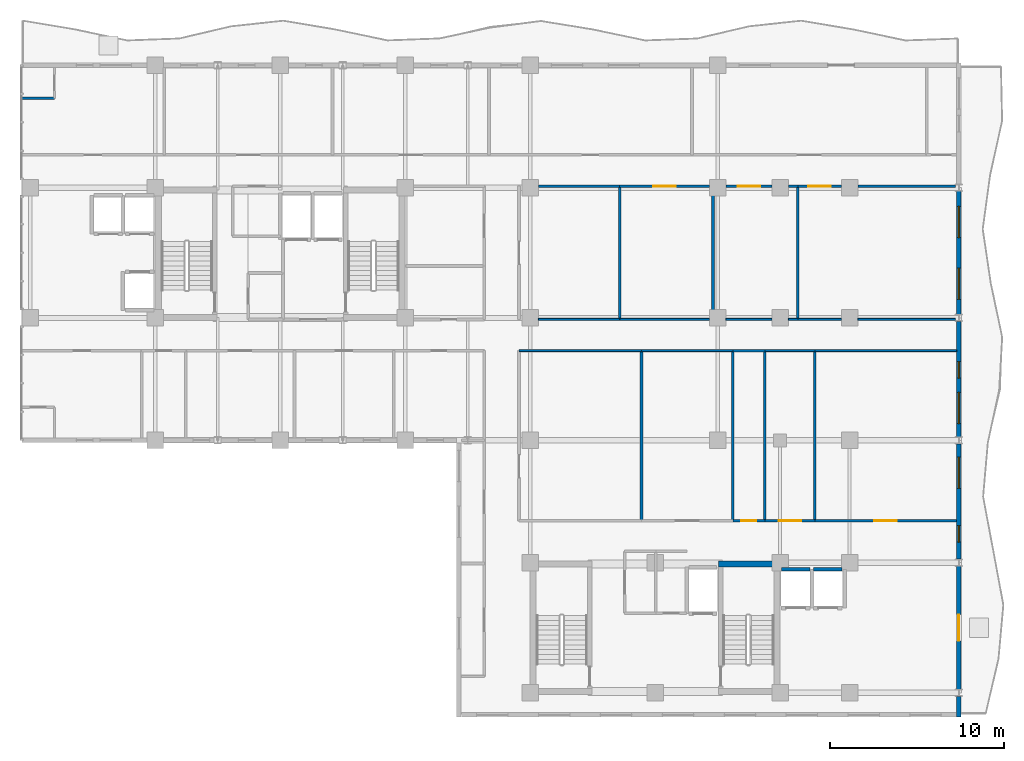
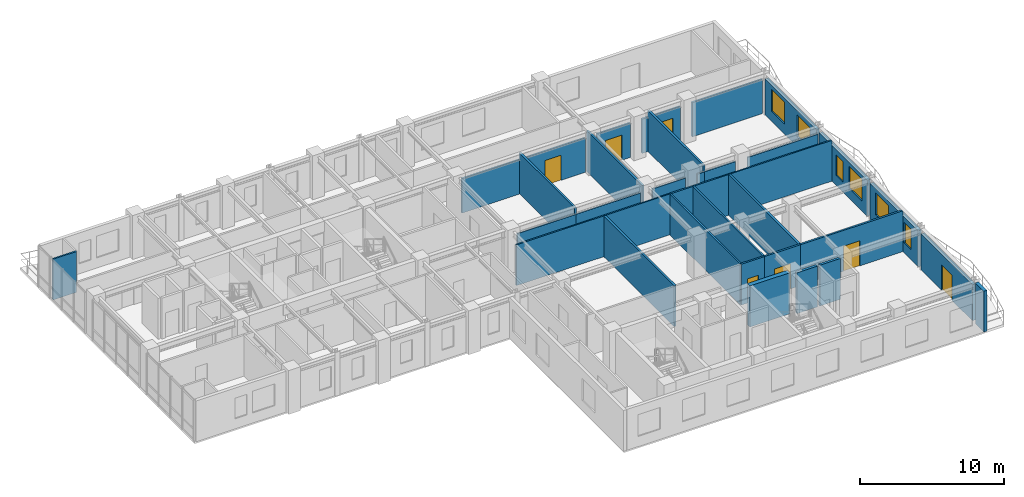
# One storey, part 15 of 20: 36 walls, 7 doors, 6 windows, 13 openings.
"""IFC4 building model written with IfcOpenShell, lengths in metres."""

from ifc_helpers import new_model, si_unit, direction, frame, frame_2d, origin, place, context, subcontext, project, spatial, rectangle, extrude, material, layer, layer_set, type_object, element, fill, save


model = new_model("IFC4")

# Units and contexts
model_context = context("Model", 3, precision=1e-05, world=origin(), true_north=direction((0.0, 1.0)))
body_context = subcontext(model_context, "Body", "Model", "MODEL_VIEW")
ifc_project = project(units=[si_unit("LENGTHUNIT", "METRE"), si_unit("AREAUNIT", "SQUARE_METRE"), si_unit("VOLUMEUNIT", "CUBIC_METRE"), si_unit("PLANEANGLEUNIT", "RADIAN"), si_unit("MASSUNIT", "GRAM", prefix="KILO")], contexts=[model_context])

# Site, building, storey
site_placement = place(None, origin())
site = spatial("IfcSite", under=ifc_project, at=site_placement, CompositionType="ELEMENT")
building_placement = place(site_placement, origin())
building = spatial("IfcBuilding", under=site, at=building_placement, Name="Kaliganga Portal Commons", CompositionType="ELEMENT")
storey_placement = place(building_placement, frame((0.0, 0.0, 216.60009765625)))
storey = spatial("IfcBuildingStorey", under=building, at=storey_placement, Name="L55", CompositionType="ELEMENT", Elevation=216.60009765625)

# Walls
ifc_material_1 = material(Name="Concrete C50/60", Category="concrete")
ifc_layer_1 = layer(ifc_material_1, 0.35009765625)
ifc_layer_set_1 = layer_set([ifc_layer_1], Name="Concrete C50/60")
wall_type_1 = type_object("IfcWallType", Name="WL-CORE-350", PredefinedType="SHEAR", material=ifc_layer_set_1)
wall_1_placement = place(storey_placement, frame((46.85009765625, 14.47509765625, 0.0), z_axis=(0.0, 0.0, 1.0), x_axis=(1.0, 0.0, 0.0)))
element("IfcWall", 1, at=wall_1_placement, inside=storey, type_object=wall_type_1, Name="Core B N-East Shear Wall L55", PredefinedType="SHEAR", context=body_context, shape_type="SweptSolid", body=[
    extrude(rectangle(XDim=3.199951171875, YDim=0.35009765625, at=frame_2d((1.60009765625, 0.0))), origin(), (0.0, 0.0, 1.0), 3.469970703125),
])
ifc_material_2 = material(Name="Insulated Aluminium-Clad Spandrel Assembly", Category="aluminium")
ifc_layer_2 = layer(ifc_material_2, 0.260009765625)
ifc_layer_set_2 = layer_set([ifc_layer_2], Name="Insulated Aluminium-Clad Spandrel Assembly")
wall_type_2 = type_object("IfcWallType", Name="WL-EXT-SPAND-260", PredefinedType="STANDARD", material=ifc_layer_set_2)
wall_2_placement = place(storey_placement, frame((60.699951171875, 6.84912109375, 0.0), z_axis=(0.0, 0.0, 1.0), x_axis=(0.0, -1.0, 0.0)))
element("IfcWall", 2, at=wall_2_placement, inside=storey, type_object=wall_type_2, Name="Exterior Envelope Wall L55 P1-E01-S1", PredefinedType="STANDARD", context=body_context, shape_type="SweptSolid", body=[
    extrude(rectangle(XDim=1.17919921875, YDim=0.260009765625, at=frame_2d((0.589599609375, 0.0))), origin(), (0.0, 0.0, 1.0), 3.449951171875),
])

# Wall, opening, door
wall_3_placement = place(storey_placement, frame((60.699951171875, 14.34912109375, 0.0), z_axis=(0.0, 0.0, 1.0), x_axis=(0.0, -1.0, 0.0)))
wall_3 = element("IfcWall", 3, at=wall_3_placement, inside=storey, type_object=wall_type_2, Name="Exterior Envelope Wall L55 P1-E01-S2", PredefinedType="STANDARD", context=body_context, shape_type="SweptSolid", body=[
    extrude(rectangle(XDim=7.09814453125, YDim=0.260009765625, at=frame_2d((3.549072265625, 0.0))), origin(), (0.0, 0.0, 1.0), 3.0498046875),
])
opening_1_placement = place(wall_3_placement, frame((2.799072265625, 0.0, 0.0)))
opening_1 = element("IfcOpeningElement", 4, at=opening_1_placement, cuts=wall_3, Name="Opening BD-01", PredefinedType="OPENING", context=body_context, shape_type="SweptSolid", body=[
    extrude(rectangle(XDim=1.5, YDim=2.14990234375, at=frame_2d((0.75, 1.074951171875))), frame((0.0, 0.14013671875, 0.0), z_axis=(0.0, -1.0, 0.0), x_axis=(1.0, 0.0, 0.0)), (0.0, 0.0, 1.0), 0.280029296875),
])
ifc_material_3 = material(Name="Anodized Aluminium and Laminated Safety Glass", Category="aluminium")
door_type_1 = type_object("IfcDoorType", Name="DR-BALC-1500", OperationType="SLIDING_TO_LEFT", PredefinedType="DOOR", material=ifc_material_3)
door_1_placement = place(opening_1_placement, origin())
door_1 = element("IfcDoor", 5, at=door_1_placement, inside=storey, type_object=door_type_1, Name="Balcony Sliding Door L55 balc_east", OperationType="SLIDING_TO_LEFT", OverallHeight=2.14990234375, OverallWidth=1.5, PredefinedType="DOOR", context=body_context, shape_type="SweptSolid", body=[
    extrude(rectangle(XDim=1.5, YDim=2.14990234375, at=frame_2d((0.75, 1.074951171875))), frame((0.0, 0.02490234375, 0.0), z_axis=(0.0, -1.0, 0.0), x_axis=(1.0, 0.0, 0.0)), (0.0, 0.0, 1.0), 0.050048828125),
])
fill(opening_1, door_1)

# Wall, openings, windows
wall_4_placement = place(storey_placement, frame((60.699951171875, 21.39892578125, 0.0), z_axis=(0.0, 0.0, 1.0), x_axis=(0.0, -1.0, 0.0)))
wall_4 = element("IfcWall", 6, at=wall_4_placement, inside=storey, type_object=wall_type_2, Name="Exterior Envelope Wall L55 P1-E01-S3", PredefinedType="STANDARD", context=body_context, shape_type="SweptSolid", body=[
    extrude(rectangle(XDim=6.64794921875, YDim=0.260009765625, at=frame_2d((3.323974609375, 0.0))), origin(), (0.0, 0.0, 1.0), 3.0498046875),
])
opening_2_placement = place(wall_4_placement, frame((0.761962890625, 0.0, 0.85009765625)))
opening_2 = element("IfcOpeningElement", 7, at=opening_2_placement, cuts=wall_4, Name="Opening W-01", PredefinedType="OPENING", context=body_context, shape_type="SweptSolid", body=[
    extrude(rectangle(XDim=1.800048828125, YDim=1.85009765625, at=frame_2d((0.89990234375, 0.925048828125))), frame((0.0, 0.14013671875, 0.0), z_axis=(0.0, -1.0, 0.0), x_axis=(1.0, 0.0, 0.0)), (0.0, 0.0, 1.0), 0.280029296875),
])
opening_3_placement = place(wall_4_placement, frame((4.71044921875, 0.0, 0.85009765625)))
opening_3 = element("IfcOpeningElement", 8, at=opening_3_placement, cuts=wall_4, Name="Opening W-04", PredefinedType="OPENING", context=body_context, shape_type="SweptSolid", body=[
    extrude(rectangle(XDim=0.949951171875, YDim=1.75, at=frame_2d((0.47509765625, 0.875))), frame((0.0, 0.14013671875, 0.0), z_axis=(0.0, -1.0, 0.0), x_axis=(1.0, 0.0, 0.0)), (0.0, 0.0, 1.0), 0.280029296875),
])
ifc_material_4 = material(Name="Thermally Broken Aluminium and Low-E Double Glazing", Category="aluminium")
window_type_1 = type_object("IfcWindowType", Name="WIN-NARROW-950", PartitioningType="SINGLE_PANEL", PredefinedType="WINDOW", material=ifc_material_4)
window_1_placement = place(opening_3_placement, origin())
window_1 = element("IfcWindow", 9, at=window_1_placement, inside=storey, type_object=window_type_1, Name="Facade Window L55-P1E01S3-N10", OverallHeight=1.75, OverallWidth=0.949951171875, PartitioningType="SINGLE_PANEL", PredefinedType="WINDOW", context=body_context, shape_type="SweptSolid", body=[
    extrude(rectangle(XDim=0.949951171875, YDim=1.75, at=frame_2d((0.47509765625, 0.875))), frame((0.0, 0.030029296875, 0.0), z_axis=(0.0, -1.0, 0.0), x_axis=(1.0, 0.0, 0.0)), (0.0, 0.0, 1.0), 0.06005859375),
])
fill(opening_3, window_1)
window_type_2 = type_object("IfcWindowType", Name="WIN-STD-1800", PartitioningType="DOUBLE_PANEL_VERTICAL", PredefinedType="WINDOW", material=ifc_material_4)
window_2_placement = place(opening_2_placement, origin())
window_2 = element("IfcWindow", 10, at=window_2_placement, inside=storey, type_object=window_type_2, Name="Facade Window L55-P1E01S3-00", OverallHeight=1.85009765625, OverallWidth=1.800048828125, PartitioningType="SINGLE_PANEL", PredefinedType="WINDOW", context=body_context, shape_type="SweptSolid", body=[
    extrude(rectangle(XDim=1.800048828125, YDim=1.85009765625, at=frame_2d((0.89990234375, 0.925048828125))), frame((0.0, 0.030029296875, 0.0), z_axis=(0.0, -1.0, 0.0), x_axis=(1.0, 0.0, 0.0)), (0.0, 0.0, 1.0), 0.06005859375),
])
fill(opening_2, window_2)

wall_5_placement = place(storey_placement, frame((60.699951171875, 28.448974609375, 0.0), z_axis=(0.0, 0.0, 1.0), x_axis=(0.0, -1.0, 0.0)))
wall_5 = element("IfcWall", 11, at=wall_5_placement, inside=storey, type_object=wall_type_2, Name="Exterior Envelope Wall L55 P1-E01-S4", PredefinedType="STANDARD", context=body_context, shape_type="SweptSolid", body=[
    extrude(rectangle(XDim=6.64794921875, YDim=0.260009765625, at=frame_2d((3.323974609375, 0.0))), origin(), (0.0, 0.0, 1.0), 3.0498046875),
])
opening_4_placement = place(wall_5_placement, frame((4.0859375, 0.0, 0.85009765625)))
opening_4 = element("IfcOpeningElement", 12, at=opening_4_placement, cuts=wall_5, Name="Opening W-01", PredefinedType="OPENING", context=body_context, shape_type="SweptSolid", body=[
    extrude(rectangle(XDim=1.800048828125, YDim=1.85009765625, at=frame_2d((0.89990234375, 0.925048828125))), frame((0.0, 0.14013671875, 0.0), z_axis=(0.0, -1.0, 0.0), x_axis=(1.0, 0.0, 0.0)), (0.0, 0.0, 1.0), 0.280029296875),
])
opening_5_placement = place(wall_5_placement, frame((2.317138671875, 0.0, 0.85009765625)))
opening_5 = element("IfcOpeningElement", 13, at=opening_5_placement, cuts=wall_5, Name="Opening W-04", PredefinedType="OPENING", context=body_context, shape_type="SweptSolid", body=[
    extrude(rectangle(XDim=0.949951171875, YDim=1.75, at=frame_2d((0.47509765625, 0.875))), frame((0.0, 0.14013671875, 0.0), z_axis=(0.0, -1.0, 0.0), x_axis=(1.0, 0.0, 0.0)), (0.0, 0.0, 1.0), 0.280029296875),
])
window_3_placement = place(opening_5_placement, origin())
window_3 = element("IfcWindow", 14, at=window_3_placement, inside=storey, type_object=window_type_1, Name="Facade Window L55-P1E01S4-N5", OverallHeight=1.75, OverallWidth=0.949951171875, PartitioningType="SINGLE_PANEL", PredefinedType="WINDOW", context=body_context, shape_type="SweptSolid", body=[
    extrude(rectangle(XDim=0.949951171875, YDim=1.75, at=frame_2d((0.47509765625, 0.875))), frame((0.0, 0.030029296875, 0.0), z_axis=(0.0, -1.0, 0.0), x_axis=(1.0, 0.0, 0.0)), (0.0, 0.0, 1.0), 0.06005859375),
])
fill(opening_5, window_3)
window_4_placement = place(opening_4_placement, origin())
window_4 = element("IfcWindow", 15, at=window_4_placement, inside=storey, type_object=window_type_2, Name="Facade Window L55-P1E01S4-01", OverallHeight=1.85009765625, OverallWidth=1.800048828125, PartitioningType="SINGLE_PANEL", PredefinedType="WINDOW", context=body_context, shape_type="SweptSolid", body=[
    extrude(rectangle(XDim=1.800048828125, YDim=1.85009765625, at=frame_2d((0.89990234375, 0.925048828125))), frame((0.0, 0.030029296875, 0.0), z_axis=(0.0, -1.0, 0.0), x_axis=(1.0, 0.0, 0.0)), (0.0, 0.0, 1.0), 0.06005859375),
])
fill(opening_4, window_4)

wall_6_placement = place(storey_placement, frame((60.699951171875, 35.948974609375, 0.0), z_axis=(0.0, 0.0, 1.0), x_axis=(0.0, -1.0, 0.0)))
wall_6 = element("IfcWall", 16, at=wall_6_placement, inside=storey, type_object=wall_type_2, Name="Exterior Envelope Wall L55 P1-E01-S5", PredefinedType="STANDARD", context=body_context, shape_type="SweptSolid", body=[
    extrude(rectangle(XDim=7.097900390625, YDim=0.260009765625, at=frame_2d((3.548828125, 0.0))), origin(), (0.0, 0.0, 1.0), 3.0498046875),
])
opening_6_placement = place(wall_6_placement, frame((0.87451171875, 0.0, 0.85009765625)))
opening_6 = element("IfcOpeningElement", 17, at=opening_6_placement, cuts=wall_6, Name="Opening W-01", PredefinedType="OPENING", context=body_context, shape_type="SweptSolid", body=[
    extrude(rectangle(XDim=1.800048828125, YDim=1.85009765625, at=frame_2d((0.89990234375, 0.925048828125))), frame((0.0, 0.14013671875, 0.0), z_axis=(0.0, -1.0, 0.0), x_axis=(1.0, 0.0, 0.0)), (0.0, 0.0, 1.0), 0.280029296875),
])
opening_7_placement = place(wall_6_placement, frame((4.423583984375, 0.0, 0.85009765625)))
opening_7 = element("IfcOpeningElement", 18, at=opening_7_placement, cuts=wall_6, Name="Opening W-01", PredefinedType="OPENING", context=body_context, shape_type="SweptSolid", body=[
    extrude(rectangle(XDim=1.800048828125, YDim=1.85009765625, at=frame_2d((0.89990234375, 0.925048828125))), frame((0.0, 0.14013671875, 0.0), z_axis=(0.0, -1.0, 0.0), x_axis=(1.0, 0.0, 0.0)), (0.0, 0.0, 1.0), 0.280029296875),
])
window_5_placement = place(opening_6_placement, origin())
window_5 = element("IfcWindow", 19, at=window_5_placement, inside=storey, type_object=window_type_2, Name="Facade Window L55-P1E01S5-00", OverallHeight=1.85009765625, OverallWidth=1.800048828125, PartitioningType="SINGLE_PANEL", PredefinedType="WINDOW", context=body_context, shape_type="SweptSolid", body=[
    extrude(rectangle(XDim=1.800048828125, YDim=1.85009765625, at=frame_2d((0.89990234375, 0.925048828125))), frame((0.0, 0.030029296875, 0.0), z_axis=(0.0, -1.0, 0.0), x_axis=(1.0, 0.0, 0.0)), (0.0, 0.0, 1.0), 0.06005859375),
])
fill(opening_6, window_5)
window_6_placement = place(opening_7_placement, origin())
window_6 = element("IfcWindow", 20, at=window_6_placement, inside=storey, type_object=window_type_2, Name="Facade Window L55-P1E01S5-01", OverallHeight=1.85009765625, OverallWidth=1.800048828125, PartitioningType="SINGLE_PANEL", PredefinedType="WINDOW", context=body_context, shape_type="SweptSolid", body=[
    extrude(rectangle(XDim=1.800048828125, YDim=1.85009765625, at=frame_2d((0.89990234375, 0.925048828125))), frame((0.0, 0.030029296875, 0.0), z_axis=(0.0, -1.0, 0.0), x_axis=(1.0, 0.0, 0.0)), (0.0, 0.0, 1.0), 0.06005859375),
])
fill(opening_7, window_6)

# Wall, opening, door
ifc_material_5 = material(Name="Fire-Rated Gypsum Board on Steel Stud", Category="steel")
ifc_layer_3 = layer(ifc_material_5, 0.14990234375)
ifc_layer_set_3 = layer_set([ifc_layer_3], Name="Fire-Rated Gypsum Board on Steel Stud")
wall_type_3 = type_object("IfcWallType", Name="WL-PART-CORR-150", PredefinedType="PARTITIONING", material=ifc_layer_set_3)
wall_7_placement = place(storey_placement, frame((51.419921875, 36.239990234375, 0.0), z_axis=(0.0, 0.0, 1.0), x_axis=(1.0, 0.0, 0.0)))
wall_7 = element("IfcWall", 21, at=wall_7_placement, inside=storey, type_object=wall_type_3, Name="Interior Partition L55-009", PredefinedType="PARTITIONING", context=body_context, shape_type="SweptSolid", body=[
    extrude(rectangle(XDim=2.505126953125, YDim=0.14990234375, at=frame_2d((1.25244140625, 0.0))), origin(), (0.0, 0.0, 1.0), 2.89990234375),
])
opening_8_placement = place(wall_7_placement, frame((0.6025390625, 0.0, 0.0)))
opening_8 = element("IfcOpeningElement", 22, at=opening_8_placement, cuts=wall_7, Name="Opening RD-03", PredefinedType="OPENING", context=body_context, shape_type="SweptSolid", body=[
    extrude(rectangle(XDim=1.300048828125, YDim=2.1201171875, at=frame_2d((0.64990234375, 1.06005859375))), frame((0.0, 0.0849609375, 0.0), z_axis=(0.0, -1.0, 0.0), x_axis=(1.0, 0.0, 0.0)), (0.0, 0.0, 1.0), 0.169921875),
])
ifc_material_6 = material(Name="Glazed Timber Seminar Vision Door", Category="wood")
door_type_2 = type_object("IfcDoorType", Name="DR-STUDY-1300", OperationType="DOUBLE_DOOR_SINGLE_SWING", PredefinedType="DOOR", material=ifc_material_6)
door_2_placement = place(opening_8_placement, origin())
door_2 = element("IfcDoor", 23, at=door_2_placement, inside=storey, type_object=door_type_2, Name="Interior Door L55-BK04", OperationType="DOUBLE_DOOR_SINGLE_SWING", OverallHeight=2.1201171875, OverallWidth=1.300048828125, PredefinedType="DOOR", context=body_context, shape_type="SweptSolid", body=[
    extrude(rectangle(XDim=1.300048828125, YDim=2.1201171875, at=frame_2d((0.64990234375, 1.06005859375))), frame((0.0, 0.02490234375, 0.0), z_axis=(0.0, -1.0, 0.0), x_axis=(1.0, 0.0, 0.0)), (0.0, 0.0, 1.0), 0.050048828125),
])
fill(opening_8, door_2)

# Wall
wall_8_placement = place(storey_placement, frame((54.875, 36.239990234375, 0.0), z_axis=(0.0, 0.0, 1.0), x_axis=(1.0, 0.0, 0.0)))
element("IfcWall", 24, at=wall_8_placement, inside=storey, type_object=wall_type_3, Name="Interior Partition L55-010", PredefinedType="PARTITIONING", context=body_context, shape_type="SweptSolid", body=[
    extrude(rectangle(XDim=5.62548828125, YDim=0.14990234375, at=frame_2d((2.812744140625, 0.0))), origin(), (0.0, 0.0, 1.0), 2.89990234375),
])

# Wall, opening, door
wall_9_placement = place(storey_placement, frame((52.39990234375, 16.9599609375, 0.0), z_axis=(0.0, 0.0, 1.0), x_axis=(1.0, 0.0, 0.0)))
wall_9 = element("IfcWall", 25, at=wall_9_placement, inside=storey, type_object=wall_type_3, Name="Interior Partition L55-012", PredefinedType="PARTITIONING", context=body_context, shape_type="SweptSolid", body=[
    extrude(rectangle(XDim=8.168212890625, YDim=0.14990234375, at=frame_2d((4.083984375, 0.0))), origin(), (0.0, 0.0, 1.0), 3.449951171875),
])
opening_9_placement = place(wall_9_placement, frame((3.43408203125, 0.0, 0.0)))
opening_9 = element("IfcOpeningElement", 26, at=opening_9_placement, cuts=wall_9, Name="Opening RD-03", PredefinedType="OPENING", context=body_context, shape_type="SweptSolid", body=[
    extrude(rectangle(XDim=1.300048828125, YDim=2.1201171875, at=frame_2d((0.64990234375, 1.06005859375))), frame((0.0, 0.0849609375, 0.0), z_axis=(0.0, -1.0, 0.0), x_axis=(1.0, 0.0, 0.0)), (0.0, 0.0, 1.0), 0.169921875),
])
door_3_placement = place(opening_9_placement, origin())
door_3 = element("IfcDoor", 27, at=door_3_placement, inside=storey, type_object=door_type_2, Name="Interior Door L55-BM04B", OperationType="DOUBLE_DOOR_SINGLE_SWING", OverallHeight=2.1201171875, OverallWidth=1.300048828125, PredefinedType="DOOR", context=body_context, shape_type="SweptSolid", body=[
    extrude(rectangle(XDim=1.300048828125, YDim=2.1201171875, at=frame_2d((0.64990234375, 1.06005859375))), frame((0.0, 0.02490234375, 0.0), z_axis=(0.0, -1.0, 0.0), x_axis=(1.0, 0.0, 0.0)), (0.0, 0.0, 1.0), 0.050048828125),
])
fill(opening_9, door_3)

# Wall
wall_10_placement = place(storey_placement, frame((36.47509765625, 36.239990234375, 0.0), z_axis=(0.0, 0.0, 1.0), x_axis=(1.0, 0.0, 0.0)))
element("IfcWall", 28, at=wall_10_placement, inside=storey, type_object=wall_type_3, Name="Interior Partition L55-020", PredefinedType="PARTITIONING", context=body_context, shape_type="SweptSolid", body=[
    extrude(rectangle(XDim=4.684814453125, YDim=0.14990234375, at=frame_2d((2.34228515625, 0.0))), origin(), (0.0, 0.0, 1.0), 2.89990234375),
])

# Wall, opening, door
wall_11_placement = place(storey_placement, frame((41.159912109375, 36.239990234375, 0.0), z_axis=(0.0, 0.0, 1.0), x_axis=(1.0, 0.0, 0.0)))
wall_11 = element("IfcWall", 29, at=wall_11_placement, inside=storey, type_object=wall_type_3, Name="Interior Partition L55-022", PredefinedType="PARTITIONING", context=body_context, shape_type="SweptSolid", body=[
    extrude(rectangle(XDim=5.1650390625, YDim=0.14990234375, at=frame_2d((2.58251953125, 0.0))), origin(), (0.0, 0.0, 1.0), 2.89990234375),
])
opening_10_placement = place(wall_11_placement, frame((1.9326171875, 0.0, 0.0)))
opening_10 = element("IfcOpeningElement", 30, at=opening_10_placement, cuts=wall_11, Name="Opening RD-03", PredefinedType="OPENING", context=body_context, shape_type="SweptSolid", body=[
    extrude(rectangle(XDim=1.300048828125, YDim=2.1201171875, at=frame_2d((0.64990234375, 1.06005859375))), frame((0.0, 0.0849609375, 0.0), z_axis=(0.0, -1.0, 0.0), x_axis=(1.0, 0.0, 0.0)), (0.0, 0.0, 1.0), 0.169921875),
])
door_4_placement = place(opening_10_placement, origin())
door_4 = element("IfcDoor", 31, at=door_4_placement, inside=storey, type_object=door_type_2, Name="Interior Door L55-BK02", OperationType="DOUBLE_DOOR_SINGLE_SWING", OverallHeight=2.1201171875, OverallWidth=1.300048828125, PredefinedType="DOOR", context=body_context, shape_type="SweptSolid", body=[
    extrude(rectangle(XDim=1.300048828125, YDim=2.1201171875, at=frame_2d((0.64990234375, 1.06005859375))), frame((0.0, 0.02490234375, 0.0), z_axis=(0.0, -1.0, 0.0), x_axis=(1.0, 0.0, 0.0)), (0.0, 0.0, 1.0), 0.050048828125),
])
fill(opening_10, door_4)

wall_12_placement = place(storey_placement, frame((47.27490234375, 36.239990234375, 0.0), z_axis=(0.0, 0.0, 1.0), x_axis=(1.0, 0.0, 0.0)))
wall_12 = element("IfcWall", 32, at=wall_12_placement, inside=storey, type_object=wall_type_3, Name="Interior Partition L55-026", PredefinedType="PARTITIONING", context=body_context, shape_type="SweptSolid", body=[
    extrude(rectangle(XDim=2.650146484375, YDim=0.14990234375, at=frame_2d((1.3251953125, 0.0))), origin(), (0.0, 0.0, 1.0), 2.89990234375),
])
opening_11_placement = place(wall_12_placement, frame((0.675048828125, 0.0, 0.0)))
opening_11 = element("IfcOpeningElement", 33, at=opening_11_placement, cuts=wall_12, Name="Opening RD-03", PredefinedType="OPENING", context=body_context, shape_type="SweptSolid", body=[
    extrude(rectangle(XDim=1.300048828125, YDim=2.1201171875, at=frame_2d((0.64990234375, 1.06005859375))), frame((0.0, 0.0849609375, 0.0), z_axis=(0.0, -1.0, 0.0), x_axis=(1.0, 0.0, 0.0)), (0.0, 0.0, 1.0), 0.169921875),
])
door_5_placement = place(opening_11_placement, origin())
door_5 = element("IfcDoor", 34, at=door_5_placement, inside=storey, type_object=door_type_2, Name="Interior Door L55-BK03", OperationType="DOUBLE_DOOR_SINGLE_SWING", OverallHeight=2.1201171875, OverallWidth=1.300048828125, PredefinedType="DOOR", context=body_context, shape_type="SweptSolid", body=[
    extrude(rectangle(XDim=1.300048828125, YDim=2.1201171875, at=frame_2d((0.64990234375, 1.06005859375))), frame((0.0, 0.02490234375, 0.0), z_axis=(0.0, -1.0, 0.0), x_axis=(1.0, 0.0, 0.0)), (0.0, 0.0, 1.0), 0.050048828125),
])
fill(opening_11, door_5)

# Wall
wall_13_placement = place(storey_placement, frame((50.875, 36.239990234375, 0.0), z_axis=(0.0, 0.0, 1.0), x_axis=(1.0, 0.0, 0.0)))
element("IfcWall", 35, at=wall_13_placement, inside=storey, type_object=wall_type_3, Name="Interior Partition L55-027", PredefinedType="PARTITIONING", context=body_context, shape_type="SweptSolid", body=[
    extrude(rectangle(XDim=0.544921875, YDim=0.14990234375, at=frame_2d((0.2724609375, 0.0))), origin(), (0.0, 0.0, 1.0), 2.89990234375),
])

# Wall, opening, door
wall_14_placement = place(storey_placement, frame((49.52001953125, 16.9599609375, 0.0), z_axis=(0.0, 0.0, 1.0), x_axis=(1.0, 0.0, 0.0)))
wall_14 = element("IfcWall", 36, at=wall_14_placement, inside=storey, type_object=wall_type_3, Name="Interior Partition L55-034", PredefinedType="PARTITIONING", context=body_context, shape_type="SweptSolid", body=[
    extrude(rectangle(XDim=2.8798828125, YDim=0.14990234375, at=frame_2d((1.43994140625, 0.0))), origin(), (0.0, 0.0, 1.0), 3.449951171875),
])
opening_12_placement = place(wall_14_placement, frame((0.7900390625, 0.0, 0.0)))
opening_12 = element("IfcOpeningElement", 37, at=opening_12_placement, cuts=wall_14, Name="Opening RD-03", PredefinedType="OPENING", context=body_context, shape_type="SweptSolid", body=[
    extrude(rectangle(XDim=1.300048828125, YDim=2.1201171875, at=frame_2d((0.64990234375, 1.06005859375))), frame((0.0, 0.0849609375, 0.0), z_axis=(0.0, -1.0, 0.0), x_axis=(1.0, 0.0, 0.0)), (0.0, 0.0, 1.0), 0.169921875),
])
door_6_placement = place(opening_12_placement, origin())
door_6 = element("IfcDoor", 38, at=door_6_placement, inside=storey, type_object=door_type_2, Name="Interior Door L55-BM04", OperationType="DOUBLE_DOOR_SINGLE_SWING", OverallHeight=2.1201171875, OverallWidth=1.300048828125, PredefinedType="DOOR", context=body_context, shape_type="SweptSolid", body=[
    extrude(rectangle(XDim=1.300048828125, YDim=2.1201171875, at=frame_2d((0.64990234375, 1.06005859375))), frame((0.0, 0.02490234375, 0.0), z_axis=(0.0, -1.0, 0.0), x_axis=(1.0, 0.0, 0.0)), (0.0, 0.0, 1.0), 0.050048828125),
])
fill(opening_12, door_6)

wall_15_placement = place(storey_placement, frame((47.679931640625, 16.9599609375, 0.0), z_axis=(0.0, 0.0, 1.0), x_axis=(1.0, 0.0, 0.0)))
wall_15 = element("IfcWall", 39, at=wall_15_placement, inside=storey, type_object=wall_type_3, Name="Interior Partition L55-043", PredefinedType="PARTITIONING", context=body_context, shape_type="SweptSolid", body=[
    extrude(rectangle(XDim=1.840087890625, YDim=0.14990234375, at=frame_2d((0.919921875, 0.0))), origin(), (0.0, 0.0, 1.0), 3.449951171875),
])
opening_13_placement = place(wall_15_placement, frame((0.4951171875, 0.0, 0.0)))
opening_13 = element("IfcOpeningElement", 40, at=opening_13_placement, cuts=wall_15, Name="Opening WD-01", PredefinedType="OPENING", context=body_context, shape_type="SweptSolid", body=[
    extrude(rectangle(XDim=0.85009765625, YDim=2.0400390625, at=frame_2d((0.425048828125, 1.02001953125))), frame((0.0, 0.0849609375, 0.0), z_axis=(0.0, -1.0, 0.0), x_axis=(1.0, 0.0, 0.0)), (0.0, 0.0, 1.0), 0.169921875),
])
ifc_material_7 = material(Name="Moisture-Resistant Laminate Timber Door", Category="wood")
door_type_3 = type_object("IfcDoorType", Name="DR-WET-850", OperationType="NOTDEFINED", PredefinedType="DOOR", material=ifc_material_7)
door_7_placement = place(opening_13_placement, origin())
door_7 = element("IfcDoor", 41, at=door_7_placement, inside=storey, type_object=door_type_3, Name="Interior Door L55-BM03", OperationType="SINGLE_SWING_RIGHT", OverallHeight=2.0400390625, OverallWidth=0.85009765625, PredefinedType="DOOR", context=body_context, shape_type="SweptSolid", body=[
    extrude(rectangle(XDim=0.85009765625, YDim=2.0400390625, at=frame_2d((0.425048828125, 1.02001953125))), frame((0.0, 0.02490234375, 0.0), z_axis=(0.0, -1.0, 0.0), x_axis=(1.0, 0.0, 0.0)), (0.0, 0.0, 1.0), 0.050048828125),
])
fill(opening_13, door_7)

# Walls
ifc_material_8 = material(Name="Moisture-Resistant Gypsum Partition", Category="gypsum")
ifc_layer_4 = layer(ifc_material_8, 0.114990234375)
ifc_layer_set_4 = layer_set([ifc_layer_4], Name="Moisture-Resistant Gypsum Partition")
wall_type_4 = type_object("IfcWallType", Name="WL-PART-ROOM-115", PredefinedType="PARTITIONING", material=ifc_layer_set_4)
wall_16_placement = place(storey_placement, frame((51.419921875, 28.56005859375, 0.0), z_axis=(0.0, 0.0, 1.0), x_axis=(1.0, 0.0, 0.0)))
element("IfcWall", 42, at=wall_16_placement, inside=storey, type_object=wall_type_4, Name="Interior Partition L55-053", PredefinedType="PARTITIONING", context=body_context, shape_type="SweptSolid", body=[
    extrude(rectangle(XDim=2.505126953125, YDim=0.114990234375, at=frame_2d((1.25244140625, 0.0))), origin(), (0.0, 0.0, 1.0), 2.89990234375),
])
wall_17_placement = place(storey_placement, frame((54.875, 28.56005859375, 0.0), z_axis=(0.0, 0.0, 1.0), x_axis=(1.0, 0.0, 0.0)))
element("IfcWall", 43, at=wall_17_placement, inside=storey, type_object=wall_type_4, Name="Interior Partition L55-054", PredefinedType="PARTITIONING", context=body_context, shape_type="SweptSolid", body=[
    extrude(rectangle(XDim=5.62548828125, YDim=0.114990234375, at=frame_2d((2.812744140625, 0.0))), origin(), (0.0, 0.0, 1.0), 2.89990234375),
])
wall_18_placement = place(storey_placement, frame((52.39990234375, 26.760009765625, 0.0), z_axis=(0.0, 0.0, 1.0), x_axis=(1.0, 0.0, 0.0)))
element("IfcWall", 44, at=wall_18_placement, inside=storey, type_object=wall_type_4, Name="Interior Partition L55-055", PredefinedType="PARTITIONING", context=body_context, shape_type="SweptSolid", body=[
    extrude(rectangle(XDim=8.168212890625, YDim=0.114990234375, at=frame_2d((4.083984375, 0.0))), origin(), (0.0, 0.0, 1.0), 3.449951171875),
])
wall_19_placement = place(storey_placement, frame((35.360107421875, 26.760009765625, 0.0), z_axis=(0.0, 0.0, 1.0), x_axis=(1.0, 0.0, 0.0)))
element("IfcWall", 45, at=wall_19_placement, inside=storey, type_object=wall_type_4, Name="Interior Partition L55-059", PredefinedType="PARTITIONING", context=body_context, shape_type="SweptSolid", body=[
    extrude(rectangle(XDim=7.059814453125, YDim=0.114990234375, at=frame_2d((3.52978515625, 0.0))), origin(), (0.0, 0.0, 1.0), 3.449951171875),
])
wall_20_placement = place(storey_placement, frame((36.47509765625, 28.56005859375, 0.0), z_axis=(0.0, 0.0, 1.0), x_axis=(1.0, 0.0, 0.0)))
element("IfcWall", 46, at=wall_20_placement, inside=storey, type_object=wall_type_4, Name="Interior Partition L55-060", PredefinedType="PARTITIONING", context=body_context, shape_type="SweptSolid", body=[
    extrude(rectangle(XDim=4.684814453125, YDim=0.114990234375, at=frame_2d((2.34228515625, 0.0))), origin(), (0.0, 0.0, 1.0), 2.89990234375),
])
wall_21_placement = place(storey_placement, frame((41.159912109375, 28.56005859375, 0.0), z_axis=(0.0, 0.0, 1.0), x_axis=(1.0, 0.0, 0.0)))
element("IfcWall", 47, at=wall_21_placement, inside=storey, type_object=wall_type_4, Name="Interior Partition L55-061", PredefinedType="PARTITIONING", context=body_context, shape_type="SweptSolid", body=[
    extrude(rectangle(XDim=5.1650390625, YDim=0.114990234375, at=frame_2d((2.58251953125, 0.0))), origin(), (0.0, 0.0, 1.0), 2.89990234375),
])
wall_22_placement = place(storey_placement, frame((42.419921875, 26.760009765625, 0.0), z_axis=(0.0, 0.0, 1.0), x_axis=(1.0, 0.0, 0.0)))
element("IfcWall", 48, at=wall_22_placement, inside=storey, type_object=wall_type_4, Name="Interior Partition L55-062", PredefinedType="PARTITIONING", context=body_context, shape_type="SweptSolid", body=[
    extrude(rectangle(XDim=5.260009765625, YDim=0.114990234375, at=frame_2d((2.6298828125, 0.0))), origin(), (0.0, 0.0, 1.0), 3.449951171875),
])
wall_23_placement = place(storey_placement, frame((47.27490234375, 28.56005859375, 0.0), z_axis=(0.0, 0.0, 1.0), x_axis=(1.0, 0.0, 0.0)))
element("IfcWall", 49, at=wall_23_placement, inside=storey, type_object=wall_type_4, Name="Interior Partition L55-072", PredefinedType="PARTITIONING", context=body_context, shape_type="SweptSolid", body=[
    extrude(rectangle(XDim=2.650146484375, YDim=0.114990234375, at=frame_2d((1.3251953125, 0.0))), origin(), (0.0, 0.0, 1.0), 2.89990234375),
])
wall_24_placement = place(storey_placement, frame((50.875, 28.56005859375, 0.0), z_axis=(0.0, 0.0, 1.0), x_axis=(1.0, 0.0, 0.0)))
element("IfcWall", 50, at=wall_24_placement, inside=storey, type_object=wall_type_4, Name="Interior Partition L55-073", PredefinedType="PARTITIONING", context=body_context, shape_type="SweptSolid", body=[
    extrude(rectangle(XDim=0.544921875, YDim=0.114990234375, at=frame_2d((0.2724609375, 0.0))), origin(), (0.0, 0.0, 1.0), 2.89990234375),
])
wall_25_placement = place(storey_placement, frame((49.52001953125, 26.760009765625, 0.0), z_axis=(0.0, 0.0, 1.0), x_axis=(1.0, 0.0, 0.0)))
element("IfcWall", 51, at=wall_25_placement, inside=storey, type_object=wall_type_4, Name="Interior Partition L55-077", PredefinedType="PARTITIONING", context=body_context, shape_type="SweptSolid", body=[
    extrude(rectangle(XDim=2.8798828125, YDim=0.114990234375, at=frame_2d((1.43994140625, 0.0))), origin(), (0.0, 0.0, 1.0), 3.449951171875),
])
ifc_material_9 = material(Name="Twin-Stud Acoustic Gypsum Partition", Category="gypsum")
ifc_layer_5 = layer(ifc_material_9, 0.1650390625)
ifc_layer_set_5 = layer_set([ifc_layer_5], Name="Twin-Stud Acoustic Gypsum Partition")
wall_type_5 = type_object("IfcWallType", Name="WL-PART-UNIT-165", PredefinedType="PARTITIONING", material=ifc_layer_set_5)
for number, where, z_axis, x_axis, name in (
    (52, (42.419921875, 16.9599609375, 0.0), (0.0, 0.0, 1.0), (0.0, 1.0, 0.0), "Interior Partition L55-049"),
    (53, (52.39990234375, 16.9599609375, 0.0), (0.0, 0.0, 1.0), (0.0, 1.0, 0.0), "Interior Partition L55-052"),
):
    element("IfcWall", number, at=place(storey_placement, frame(where, z_axis=z_axis, x_axis=x_axis)), inside=storey, type_object=wall_type_5, Name=name, PredefinedType="PARTITIONING", context=body_context, shape_type="SweptSolid", body=[
        extrude(rectangle(XDim=9.800048828125, YDim=0.1650390625, at=frame_2d((4.89990234375, 0.0))), origin(), (0.0, 0.0, 1.0), 3.449951171875),
    ])
for number, where, z_axis, x_axis, name in (
    (54, (41.159912109375, 28.56005859375, 0.0), (0.0, 0.0, 1.0), (0.0, 1.0, 0.0), "Interior Partition L55-056"),
    (55, (46.5400390625, 28.56005859375, 0.0), (0.0, 0.0, 1.0), (0.0, 1.0, 0.0), "Interior Partition L55-057"),
    (56, (51.419921875, 28.56005859375, 0.0), (0.0, 0.0, 1.0), (0.0, 1.0, 0.0), "Interior Partition L55-058"),
):
    element("IfcWall", number, at=place(storey_placement, frame(where, z_axis=z_axis, x_axis=x_axis)), inside=storey, type_object=wall_type_5, Name=name, PredefinedType="PARTITIONING", context=body_context, shape_type="SweptSolid", body=[
        extrude(rectangle(XDim=7.679931640625, YDim=0.1650390625, at=frame_2d((3.83984375, 0.0))), origin(), (0.0, 0.0, 1.0), 3.449951171875),
    ])
ifc_material_10 = material(Name="Cement-Board Wet-Room Partition", Category="gypsum")
ifc_layer_6 = layer(ifc_material_10, 0.135009765625)
ifc_layer_set_6 = layer_set([ifc_layer_6], Name="Cement-Board Wet-Room Partition")
wall_type_6 = type_object("IfcWallType", Name="WL-PART-WET-135", PredefinedType="PARTITIONING", material=ifc_layer_set_6)
wall_26_placement = place(storey_placement, frame((6.719970703125, 41.300048828125, 0.0), z_axis=(0.0, 0.0, 1.0), x_axis=(1.0, 0.0, 0.0)))
element("IfcWall", 57, at=wall_26_placement, inside=storey, type_object=wall_type_6, Name="Interior Partition L55-003", PredefinedType="PARTITIONING", context=body_context, shape_type="SweptSolid", body=[
    extrude(rectangle(XDim=1.880126953125, YDim=0.135009765625, at=frame_2d((0.93994140625, 0.0))), origin(), (0.0, 0.0, 1.0), 3.449951171875),
])
for number, where, z_axis, x_axis, name in (
    (58, (47.679931640625, 16.9599609375, 0.0), (0.0, 0.0, 1.0), (0.0, 1.0, 0.0), "Interior Partition L55-050"),
    (59, (49.52001953125, 16.9599609375, 0.0), (0.0, 0.0, 1.0), (0.0, 1.0, 0.0), "Interior Partition L55-051"),
):
    element("IfcWall", number, at=place(storey_placement, frame(where, z_axis=z_axis, x_axis=x_axis)), inside=storey, type_object=wall_type_6, Name=name, PredefinedType="PARTITIONING", context=body_context, shape_type="SweptSolid", body=[
        extrude(rectangle(XDim=9.800048828125, YDim=0.135009765625, at=frame_2d((4.89990234375, 0.0))), origin(), (0.0, 0.0, 1.0), 3.449951171875),
    ])
wall_27_placement = place(storey_placement, frame((47.679931640625, 26.760009765625, 0.0), z_axis=(0.0, 0.0, 1.0), x_axis=(1.0, 0.0, 0.0)))
element("IfcWall", 60, at=wall_27_placement, inside=storey, type_object=wall_type_6, Name="Interior Partition L55-079", PredefinedType="PARTITIONING", context=body_context, shape_type="SweptSolid", body=[
    extrude(rectangle(XDim=1.840087890625, YDim=0.135009765625, at=frame_2d((0.919921875, 0.0))), origin(), (0.0, 0.0, 1.0), 3.449951171875),
])
ifc_material_11 = material(Name="Fire-Rated Shaftwall Masonry Assembly", Category="masonry")
ifc_layer_7 = layer(ifc_material_11, 0.199951171875)
ifc_layer_set_7 = layer_set([ifc_layer_7], Name="Fire-Rated Shaftwall Masonry Assembly")
wall_type_7 = type_object("IfcWallType", Name="WL-SHAFT-200", PredefinedType="PARTITIONING", material=ifc_layer_set_7)
wall_28_placement = place(storey_placement, frame((50.47509765625, 14.1650390625, 0.0), z_axis=(0.0, 0.0, 1.0), x_axis=(1.0, 0.0, 0.0)))
element("IfcWall", 61, at=wall_28_placement, inside=storey, type_object=wall_type_7, Name="Lift PL-B3 Hoistway Shaft Wall L55-N", PredefinedType="PARTITIONING", context=body_context, shape_type="SweptSolid", body=[
    extrude(rectangle(XDim=1.64990234375, YDim=0.199951171875, at=frame_2d((0.824951171875, 0.0))), origin(), (0.0, 0.0, 1.0), 3.449951171875),
])
wall_29_placement = place(storey_placement, frame((52.324951171875, 14.1650390625, 0.0), z_axis=(0.0, 0.0, 1.0), x_axis=(1.0, 0.0, 0.0)))
element("IfcWall", 62, at=wall_29_placement, inside=storey, type_object=wall_type_7, Name="Lift PL-B4 Hoistway Shaft Wall L55-N", PredefinedType="PARTITIONING", context=body_context, shape_type="SweptSolid", body=[
    extrude(rectangle(XDim=1.650146484375, YDim=0.199951171875, at=frame_2d((0.8251953125, 0.0))), origin(), (0.0, 0.0, 1.0), 3.449951171875),
])

save(model, "model.ifc")
